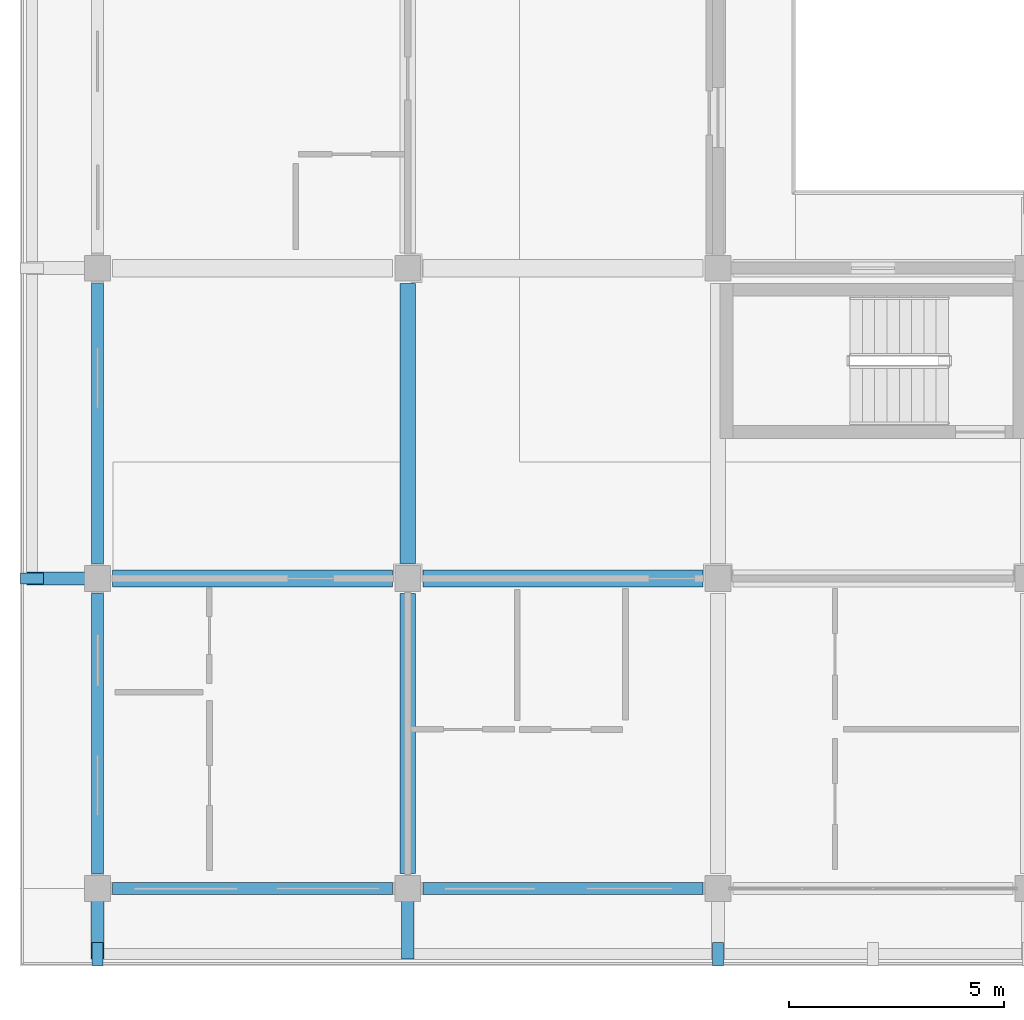
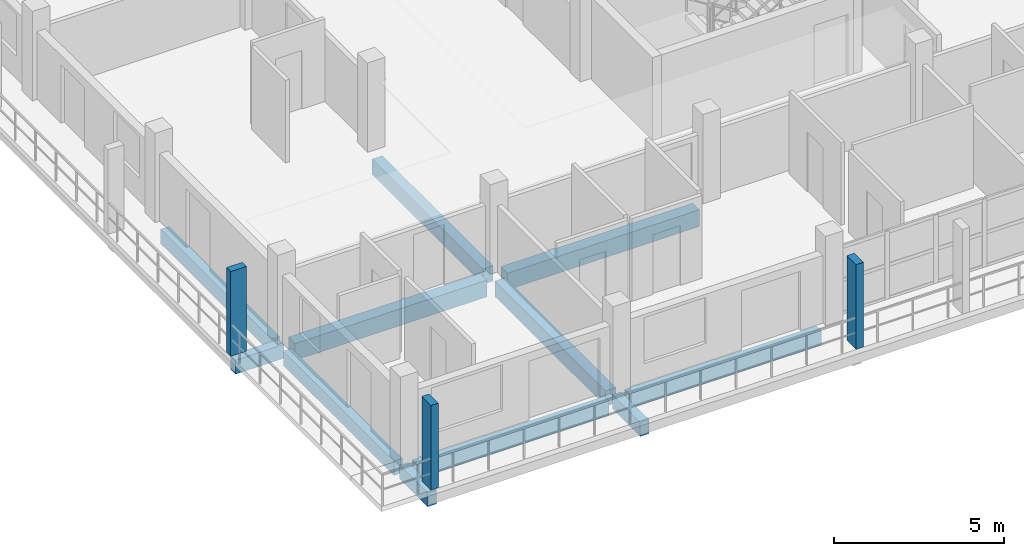
# One storey, part 17 of 157: 11 beams, 3 members.
"""IFC4 building model written with IfcOpenShell, lengths in metres."""

from ifc_helpers import new_model, si_unit, direction, frame, origin, origin_2d, place, context, subcontext, project, spatial, rectangle, extrude, material, material_profile, profile_set, type_object, element, save


model = new_model("IFC4")

# Units and contexts
model_context = context("Model", 3, precision=1e-05, world=origin(), true_north=direction((0.0, 1.0)))
body_context = subcontext(model_context, "Body", "Model", "MODEL_VIEW")
ifc_project = project(units=[si_unit("LENGTHUNIT", "METRE"), si_unit("AREAUNIT", "SQUARE_METRE"), si_unit("VOLUMEUNIT", "CUBIC_METRE"), si_unit("PLANEANGLEUNIT", "RADIAN"), si_unit("MASSUNIT", "GRAM", prefix="KILO")], contexts=[model_context])

# Site, building, storey
site_placement = place(None, origin())
site = spatial("IfcSite", under=ifc_project, at=site_placement, CompositionType="ELEMENT")
building_placement = place(site_placement, origin())
building = spatial("IfcBuilding", under=site, at=building_placement, Name="Suanplinth Sawtooth Commons", CompositionType="ELEMENT")
storey_placement = place(building_placement, frame((0.0, 0.0, 9.0)))
storey = spatial("IfcBuildingStorey", under=building, at=storey_placement, Name="L02", CompositionType="ELEMENT", Elevation=9.0)

# Beams
ifc_material_1 = material(Name="Precast concrete C40/50", Category="concrete")
ifc_material_profile_1 = material_profile(ifc_material_1, rectangle(XDim=0.39990234375, YDim=0.60009765625, at=origin_2d()), Name="PC-GDR 400x600")
ifc_profile_set_1 = profile_set([ifc_material_profile_1], Name="Precast concrete C40/50")
beam_type_1 = type_object("IfcBeamType", Name="B-05", PredefinedType="USERDEFINED", material=ifc_profile_set_1)
for number, where, z_axis, x_axis, name in (
    (1, (0.35009765625, 7.199951171875, -0.550048828125), (1.0, 0.0, 0.0), (0.0, 1.0, 0.0), "BMX-L02-D-0-1"),
    (2, (7.550048828125, 7.199951171875, -0.550048828125), (1.0, 0.0, 0.0), (0.0, 1.0, 0.0), "BMX-L02-D-1-1"),
):
    element("IfcBeam", number, at=place(storey_placement, frame(where, z_axis=z_axis, x_axis=x_axis)), inside=storey, type_object=beam_type_1, Name=name, ObjectType="GIRDER", PredefinedType="USERDEFINED", context=body_context, shape_type="SweptSolid", body=[
        extrude(rectangle(XDim=0.39990234375, YDim=0.60009765625, at=origin_2d()), origin(), (0.0, 0.0, 1.0), 6.5),
    ])
ifc_material_profile_2 = material_profile(ifc_material_1, rectangle(XDim=0.35009765625, YDim=0.550048828125, at=origin_2d()), Name="PC-BM 350x550")
ifc_profile_set_2 = profile_set([ifc_material_profile_2], Name="Precast concrete C40/50")
beam_type_2 = type_object("IfcBeamType", Name="B-06", PredefinedType="BEAM", material=ifc_profile_set_2)
for number, where, z_axis, x_axis, name in (
    (3, (7.199951171875, 0.35009765625, -0.52490234375), (0.0, 1.0, 0.0), (-1.0, 0.0, 0.0), "BMY-L02-D-1-0"),
    (4, (7.199951171875, 7.550048828125, -0.52490234375), (0.0, 1.0, 0.0), (-1.0, 0.0, 0.0), "BMY-L02-D-1-1"),
):
    element("IfcBeam", number, at=place(storey_placement, frame(where, z_axis=z_axis, x_axis=x_axis)), inside=storey, type_object=beam_type_2, Name=name, PredefinedType="BEAM", context=body_context, shape_type="SweptSolid", body=[
        extrude(rectangle(XDim=0.35009765625, YDim=0.550048828125, at=origin_2d()), origin(), (0.0, 0.0, 1.0), 6.5),
    ])
ifc_material_profile_3 = material_profile(ifc_material_1, rectangle(XDim=0.300048828125, YDim=0.5, at=origin_2d()), Name="PC-BM 300x500")
ifc_profile_set_3 = profile_set([ifc_material_profile_3], Name="Precast concrete C40/50")
beam_type_3 = type_object("IfcBeamType", Name="B-07", PredefinedType="BEAM", material=ifc_profile_set_3)
for number, where, z_axis, x_axis, name in (
    (5, (0.0, 0.0, -0.429931640625), (0.0, -1.0, 0.0), (1.0, 0.0, 0.0), "Balcony Outrigger L02-D-S-0"),
    (6, (7.199951171875, 0.0, -0.429931640625), (0.0, -1.0, 0.0), (1.0, 0.0, 0.0), "Balcony Outrigger L02-D-S-1"),
    (7, (0.0, 7.199951171875, -0.429931640625), (-1.0, 0.0, 0.0), (0.0, -1.0, 0.0), "Balcony Outrigger L02-D-W-1"),
):
    element("IfcBeam", number, at=place(storey_placement, frame(where, z_axis=z_axis, x_axis=x_axis)), inside=storey, type_object=beam_type_3, Name=name, PredefinedType="BEAM", context=body_context, shape_type="SweptSolid", body=[
        extrude(rectangle(XDim=0.300048828125, YDim=0.5, at=origin_2d()), origin(), (0.0, 0.0, 1.0), 1.639892578125),
    ])
ifc_material_profile_4 = material_profile(ifc_material_1, rectangle(XDim=0.280029296875, YDim=0.52001953125, at=origin_2d()), Name="PC-SP 280x520")
ifc_profile_set_4 = profile_set([ifc_material_profile_4], Name="Precast concrete C40/50")
beam_type_4 = type_object("IfcBeamType", Name="B-08", PredefinedType="SPANDREL", material=ifc_profile_set_4)
for number, where, z_axis, x_axis, name in (
    (8, (0.35009765625, 0.0, -0.510009765625), (1.0, 0.0, 0.0), (0.0, 1.0, 0.0), "BMX-L02-D-0-0"),
    (9, (7.550048828125, 0.0, -0.510009765625), (1.0, 0.0, 0.0), (0.0, 1.0, 0.0), "BMX-L02-D-1-0"),
    (10, (0.0, 0.35009765625, -0.510009765625), (0.0, 1.0, 0.0), (-1.0, 0.0, 0.0), "BMY-L02-D-0-0"),
    (11, (0.0, 7.550048828125, -0.510009765625), (0.0, 1.0, 0.0), (-1.0, 0.0, 0.0), "BMY-L02-D-0-1"),
):
    element("IfcBeam", number, at=place(storey_placement, frame(where, z_axis=z_axis, x_axis=x_axis)), inside=storey, type_object=beam_type_4, Name=name, PredefinedType="SPANDREL", context=body_context, shape_type="SweptSolid", body=[
        extrude(rectangle(XDim=0.280029296875, YDim=0.52001953125, at=origin_2d()), origin(), (0.0, 0.0, 1.0), 6.5),
    ])

# Members
ifc_material_2 = material(Name="Pigmented precast concrete C40/50", Category="concrete")
ifc_material_profile_5 = material_profile(ifc_material_2, rectangle(XDim=0.25, YDim=0.5400390625, at=origin_2d()), Name="PC-FIN 250x540")
ifc_profile_set_5 = profile_set([ifc_material_profile_5], Name="Pigmented precast concrete C40/50")
member_type = type_object("IfcMemberType", Name="M-11", PredefinedType="USERDEFINED", material=ifc_profile_set_5)
for number, where, z_axis, x_axis, name in (
    (12, (0.0, -1.52001953125, 0.0), (0.0, 0.0, 1.0), (1.0, 0.0, 0.0), "Upright Solar Blade L02-D-S-01"),
    (13, (14.39990234375, -1.52001953125, 0.0), (0.0, 0.0, 1.0), (1.0, 0.0, 0.0), "Upright Solar Blade L02-D-S-02"),
    (14, (-1.52001953125, 7.199951171875, 0.0), (0.0, 0.0, 1.0), (0.0, 1.0, 0.0), "Upright Solar Blade L02-D-W-10"),
):
    element("IfcMember", number, at=place(storey_placement, frame(where, z_axis=z_axis, x_axis=x_axis)), inside=storey, type_object=member_type, Name=name, ObjectType="SHADING FIN", PredefinedType="USERDEFINED", context=body_context, shape_type="SweptSolid", body=[
        extrude(rectangle(XDim=0.25, YDim=0.5400390625, at=origin_2d()), origin(), (0.0, 0.0, 1.0), 3.030029296875),
    ])

save(model, "model.ifc")
